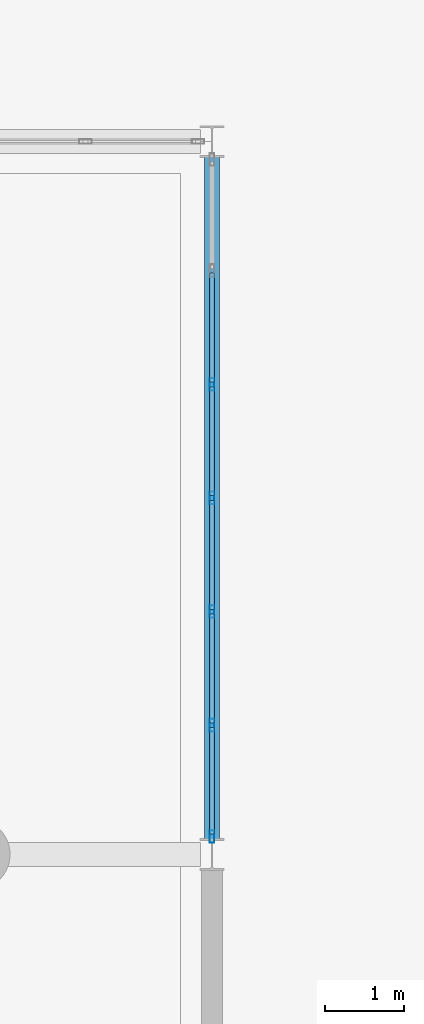
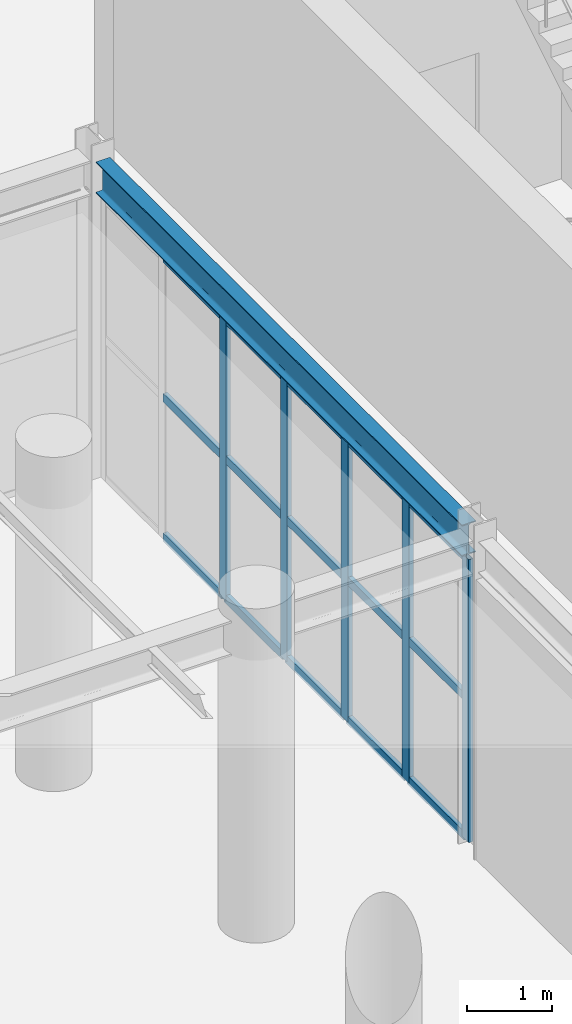
# One storey, part 14 of 29: 20 members, 1 beam, 1 element without a shape of its own.
"""IFC4 building model written with IfcOpenShell, lengths in metres."""

import ifcopenshell
import ifcopenshell.guid

model = None  # the IFC model being written
_history = None  # IfcOwnerHistory: only IFC2X3 demands one
_inside = {}  # id of a spatial element -> (the spatial element, [elements in it])
_under = {}  # id of a project, library or spatial element -> (it, [spatial elements below it])
_declared = {}  # id of a project -> (the project, [libraries it declares])
_typed = {}  # id of a type object -> (the type object, [elements of that type])
_made_of = {}  # id of a material, layer set ... -> (it, [elements and type objects made of it])


def new_model(schema):
    """Start an empty IFC model of exactly this schema.

    Asked for "IFC4X3", IfcOpenShell would pick the latest addendum, in which some entities
    have other attributes; the version numbers below select the first issue.
    IFC2X3 requires an IfcOwnerHistory on every rooted entity: one is made here for all.
    """
    global model, _history
    if schema == "IFC4X3":
        model = ifcopenshell.file(schema_version=(4, 3, 0, 0))
    else:
        model = ifcopenshell.file(schema=schema)
    _inside.clear()
    _under.clear()
    _declared.clear()
    _typed.clear()
    _made_of.clear()
    _history = None
    if model.schema == "IFC2X3":
        org = make("IfcOrganization", Name="unknown")
        user = make(
            "IfcPersonAndOrganization",
            ThePerson=make("IfcPerson", FamilyName="unknown"),
            TheOrganization=org,
        )
        app = make(
            "IfcApplication",
            ApplicationDeveloper=org,
            Version="unknown",
            ApplicationFullName="unknown",
            ApplicationIdentifier="unknown",
        )
        _history = make(
            "IfcOwnerHistory",
            OwningUser=user,
            OwningApplication=app,
            ChangeAction="ADDED",
            CreationDate=0,
        )
    return model


def make(cls, **values):
    """One entity of the class cls with the attributes given. An attribute that is None is left unset."""
    return model.create_entity(
        cls, **{name: value for name, value in values.items() if value is not None}
    )


def rooted(cls, **values):
    """An entity with a GlobalId (a new one), such as an element, a storey or a relation."""
    return make(cls, GlobalId=ifcopenshell.guid.new(), OwnerHistory=_history, **values)


def si_unit(unit_type, name, prefix=None):
    """IfcSIUnit, for example si_unit("LENGTHUNIT", "METRE", prefix="MILLI")."""
    return make("IfcSIUnit", UnitType=unit_type, Prefix=prefix, Name=name)


def assignment(units):
    """IfcUnitAssignment: the units of a project."""
    return None if units is None else make("IfcUnitAssignment", Units=units)


def point(xyz):
    """IfcCartesianPoint."""
    return None if xyz is None else make("IfcCartesianPoint", Coordinates=xyz)


def direction(xyz):
    """IfcDirection."""
    return None if xyz is None else make("IfcDirection", DirectionRatios=xyz)


def frame(location, z_axis=None, x_axis=None):
    """IfcAxis2Placement3D, a coordinate frame: its origin and axes. An axis left out is left unset."""
    return make(
        "IfcAxis2Placement3D",
        Location=point(location),
        Axis=direction(z_axis),
        RefDirection=direction(x_axis),
    )


def frame_2d(location, x_axis=None):
    """IfcAxis2Placement2D, a coordinate frame in the plane: its origin and x axis."""
    return make(
        "IfcAxis2Placement2D", Location=point(location), RefDirection=direction(x_axis)
    )


def origin():
    """The frame at (0, 0, 0) with its axes left unset."""
    return frame((0.0, 0.0, 0.0))


def origin_2d():
    """The frame at (0, 0) in the plane with its x axis left unset."""
    return frame_2d((0.0, 0.0))


def place(relative_to, where):
    """IfcLocalPlacement: puts the frame where relative to a parent placement (None: the world)."""
    return make(
        "IfcLocalPlacement", PlacementRelTo=relative_to, RelativePlacement=where
    )


def context(
    kind, dimensions, precision=None, world=None, true_north=None, identifier=None
):
    """IfcGeometricRepresentationContext, for example the 3D "Model" context."""
    return make(
        "IfcGeometricRepresentationContext",
        ContextIdentifier=identifier,
        ContextType=kind,
        CoordinateSpaceDimension=dimensions,
        Precision=precision,
        WorldCoordinateSystem=world,
        TrueNorth=true_north,
    )


def subcontext(parent, identifier, kind, view, scale=None):
    """IfcGeometricRepresentationSubContext, for example "Body" below "Model"."""
    return make(
        "IfcGeometricRepresentationSubContext",
        ContextIdentifier=identifier,
        ContextType=kind,
        ParentContext=parent,
        TargetScale=scale,
        TargetView=view,
    )


def project(units=None, contexts=None):
    """IfcProject with its units and contexts."""
    return rooted(
        "IfcProject",
        Name="project",
        RepresentationContexts=contexts,
        UnitsInContext=assignment(units),
    )


def spatial(cls, under=None, at=None, **own):
    """A site, building, storey or space (cls), placed at a placement, below another one or the project."""
    s = rooted(cls, ObjectPlacement=at, **own)
    if under is not None:
        _under.setdefault(under.id(), (under, []))[1].append(s)
    return s


def profile(cls, at=None, kind="AREA", **sizes):
    """A parametric profile (cls). Its sizes go by their IFC names, for example OverallWidth=200.0."""
    return make(cls, ProfileType=kind, Position=at, **sizes)


def hollow_rectangle(**sizes):
    """IfcRectangleHollowProfileDef."""
    return profile("IfcRectangleHollowProfileDef", **sizes)


def i_section(**sizes):
    """IfcIShapeProfileDef."""
    return profile("IfcIShapeProfileDef", **sizes)


def extrude(swept, where, along, depth):
    """IfcExtrudedAreaSolid: the profile swept, set in the frame where, extruded along a direction by depth."""
    return make(
        "IfcExtrudedAreaSolid",
        SweptArea=swept,
        Position=where,
        ExtrudedDirection=direction(along),
        Depth=depth,
    )


def shape(context_of_items, identifier, shape_type, items):
    """IfcShapeRepresentation: the items that make up one representation, for example the "Body"."""
    return make(
        "IfcShapeRepresentation",
        ContextOfItems=context_of_items,
        RepresentationIdentifier=identifier,
        RepresentationType=shape_type,
        Items=items,
    )


def material(Name=None, Category=None):
    """IfcMaterial."""
    return make("IfcMaterial", Name=Name, Category=Category)


def layer(
    of_material, thickness, ventilated=None, Name=None, Category=None, Priority=None
):
    """IfcMaterialLayer: one layer of a wall or slab, of a material (None: an air gap)."""
    return make(
        "IfcMaterialLayer",
        Material=of_material,
        LayerThickness=thickness,
        IsVentilated=ventilated,
        Name=Name,
        Category=Category,
        Priority=Priority,
    )


def layer_set(layers, Name=None):
    """IfcMaterialLayerSet."""
    return make("IfcMaterialLayerSet", MaterialLayers=layers, LayerSetName=Name)


def material_profile(
    of_material, cross_section, Name=None, Category=None, Priority=None
):
    """IfcMaterialProfile: a cross section and its material."""
    return make(
        "IfcMaterialProfile",
        Name=Name,
        Material=of_material,
        Profile=cross_section,
        Priority=Priority,
        Category=Category,
    )


def profile_set(profiles, Name=None, composite=None):
    """IfcMaterialProfileSet."""
    return make(
        "IfcMaterialProfileSet",
        Name=Name,
        MaterialProfiles=profiles,
        CompositeProfile=composite,
    )


def made_of(thing, what):
    """Note that an element or type object is made of a material, layer set ...; save() writes the relation."""
    if what is not None:
        _made_of.setdefault(what.id(), (what, []))[1].append(thing)
    return thing


def type_object(cls, material=None, **own):
    """A type object (cls), such as IfcWallType, which elements share."""
    return made_of(rooted(cls, **own), material)


def element(
    cls,
    number,
    at=None,
    inside=None,
    cuts=None,
    type_object=None,
    material=None,
    context=None,
    identifier="Body",
    shape_type=None,
    held_by="IfcProductDefinitionShape",
    body=None,
    shapes=None,
    **own,
):
    """One element of the class cls, such as IfcWall. Its Tag is "e" and its number.

    at: its placement. inside: the storey or other place that contains it. cuts: it is an
    opening in that element (IfcRelVoidsElement). A single representation is given by context,
    identifier, shape_type and body (its items); several are given by shapes. held_by: the class
    of the entity that holds the representations. save() writes the other relations.
    """
    e = rooted(cls, Tag="e%d" % number, ObjectPlacement=at, **own)
    if body is not None:
        shapes = [shape(context, identifier, shape_type, body)]
    if shapes is not None:
        e.Representation = make(held_by, Representations=shapes)
    if inside is not None:
        _inside.setdefault(inside.id(), (inside, []))[1].append(e)
    if cuts is not None:
        rooted(
            "IfcRelVoidsElement", RelatingBuildingElement=cuts, RelatedOpeningElement=e
        )
    if type_object is not None:
        _typed.setdefault(type_object.id(), (type_object, []))[1].append(e)
    return made_of(e, material)


def aggregate(whole, parts):
    """IfcRelAggregates: a whole, such as a stair, and the parts it consists of."""
    return rooted("IfcRelAggregates", RelatingObject=whole, RelatedObjects=parts)


def save(model, path):
    """Write the relations noted so far, then the file.

    IfcRelAggregates (storeys below a building ...), IfcRelContainedInSpatialStructure (elements
    in a storey), IfcRelDefinesByType, IfcRelAssociatesMaterial and IfcRelDeclares: one each for
    every whole, place, type object, material and project.
    """
    for whole, parts in _under.values():
        aggregate(whole, parts)
    for where, things in _inside.values():
        rooted(
            "IfcRelContainedInSpatialStructure",
            RelatedElements=things,
            RelatingStructure=where,
        )
    for kind, things in _typed.values():
        rooted("IfcRelDefinesByType", RelatedObjects=things, RelatingType=kind)
    for what, things in _made_of.values():
        rooted("IfcRelAssociatesMaterial", RelatedObjects=things, RelatingMaterial=what)
    for by, libraries in _declared.values():
        rooted("IfcRelDeclares", RelatingContext=by, RelatedDefinitions=libraries)
    model.write(path)


model = new_model("IFC4")

# Units and contexts
model_context = context("Model", 3, precision=1e-05, world=origin(), true_north=direction((0.0, 1.0)))
body_context = subcontext(model_context, "Body", "Model", "MODEL_VIEW")
ifc_project = project(units=[si_unit("LENGTHUNIT", "METRE"), si_unit("AREAUNIT", "SQUARE_METRE"), si_unit("VOLUMEUNIT", "CUBIC_METRE"), si_unit("PLANEANGLEUNIT", "RADIAN"), si_unit("MASSUNIT", "GRAM", prefix="KILO")], contexts=[model_context])

# Site, building, storey
site_placement = place(None, origin())
site = spatial("IfcSite", under=ifc_project, at=site_placement, CompositionType="ELEMENT")
building_placement = place(site_placement, origin())
building = spatial("IfcBuilding", under=site, at=building_placement, Name="Dornveld Trade and Exhibition Forum", CompositionType="ELEMENT")
storey_placement = place(building_placement, frame((0.0, 0.0, 21.60009765625)))
storey = spatial("IfcBuildingStorey", under=building, at=storey_placement, Name="L04", CompositionType="ELEMENT", Elevation=21.60009765625)

# Beam
ifc_material_1 = material(Name="Steel S355J2", Category="steel")
ifc_material_profile_1 = material_profile(ifc_material_1, i_section(OverallWidth=0.18994140625, OverallDepth=0.449951171875, WebThickness=0.009521484375, FlangeThickness=0.0146484375, FilletRadius=0.02099609375, at=origin_2d()), Name="IPE 450")
ifc_profile_set_1 = profile_set([ifc_material_profile_1], Name="Steel S355J2")
beam_type = type_object("IfcBeamType", Name="BM-SEC-450", PredefinedType="BEAM", material=ifc_profile_set_1)
beam_placement = place(storey_placement, frame((135.0, 81.196044921875, 4.324951171875), z_axis=(0.0, 1.0, 0.0), x_axis=(-1.0, 0.0, 0.0)))
element("IfcBeam", 1, at=beam_placement, inside=storey, type_object=beam_type, Name="L04 Y-girder 1697", PredefinedType="BEAM", context=body_context, shape_type="SweptSolid", body=[
    extrude(i_section(OverallWidth=0.18994140625, OverallDepth=0.449951171875, WebThickness=0.009521484375, FlangeThickness=0.0146484375, FilletRadius=0.02099609375, at=origin_2d()), origin(), (0.0, 0.0, 1.0), 8.60791015625),
])

# Curtain wall, members
ifc_material_2 = material(Name="Dark-bronze anodised aluminium and low-E glass", Category="aluminium")
ifc_layer = layer(ifc_material_2, 0.156982421875)
ifc_layer_set = layer_set([ifc_layer], Name="Dark-bronze anodised aluminium and low-E glass")
curtain_wall_type = type_object("IfcCurtainWallType", Name="CW-SYS-05", PredefinedType="USERDEFINED", material=ifc_layer_set)
curtain_wall_placement = place(storey_placement, origin())
curtain_wall = element("IfcCurtainWall", 2, at=curtain_wall_placement, inside=storey, type_object=curtain_wall_type, Name="L04 unitised curtain wall 131", ObjectType="UNITISED_CURTAIN_WALL", PredefinedType="USERDEFINED")
ifc_material_3 = material(Name="Dark-bronze anodised aluminium", Category="aluminium")
ifc_material_profile_2 = material_profile(ifc_material_3, hollow_rectangle(XDim=0.06005859375, YDim=0.159912109375, WallThickness=0.00390625, at=origin_2d()), Name="RHS 160x60x4")
ifc_profile_set_2 = profile_set([ifc_material_profile_2], Name="Dark-bronze anodised aluminium")
member_type_1 = type_object("IfcMemberType", Name="CW-MUL-160", PredefinedType="MULLION", material=ifc_profile_set_2)
member_1_placement = place(storey_placement, frame((135.0, 81.22607421875, -0.004150390625), z_axis=(0.0, 0.0, 1.0), x_axis=(-1.0, 0.0, 0.0)))
member_1 = element("IfcMember", 3, at=member_1_placement, type_object=member_type_1, Name="CW-05 mullion 1", PredefinedType="MULLION", context=body_context, shape_type="SweptSolid", body=[
    extrude(hollow_rectangle(XDim=0.06005859375, YDim=0.159912109375, WallThickness=0.00390625, at=origin_2d()), origin(), (0.0, 0.0, 1.0), 4.06396484375),
])
member_2_placement = place(storey_placement, frame((135.0, 82.630615234375, -0.004150390625), z_axis=(0.0, 0.0, 1.0), x_axis=(-1.0, 0.0, 0.0)))
member_2 = element("IfcMember", 4, at=member_2_placement, type_object=member_type_1, Name="CW-05 mullion 2", PredefinedType="MULLION", context=body_context, shape_type="SweptSolid", body=[
    extrude(hollow_rectangle(XDim=0.06005859375, YDim=0.159912109375, WallThickness=0.00390625, at=origin_2d()), origin(), (0.0, 0.0, 1.0), 4.06396484375),
])
member_3_placement = place(storey_placement, frame((135.0, 84.0654296875, -0.004150390625), z_axis=(0.0, 0.0, 1.0), x_axis=(-1.0, 0.0, 0.0)))
member_3 = element("IfcMember", 5, at=member_3_placement, type_object=member_type_1, Name="CW-05 mullion 3", PredefinedType="MULLION", context=body_context, shape_type="SweptSolid", body=[
    extrude(hollow_rectangle(XDim=0.06005859375, YDim=0.159912109375, WallThickness=0.00390625, at=origin_2d()), origin(), (0.0, 0.0, 1.0), 4.06396484375),
])
member_4_placement = place(storey_placement, frame((135.0, 85.5, -0.004150390625), z_axis=(0.0, 0.0, 1.0), x_axis=(-1.0, 0.0, 0.0)))
member_4 = element("IfcMember", 6, at=member_4_placement, type_object=member_type_1, Name="CW-05 mullion 4", PredefinedType="MULLION", context=body_context, shape_type="SweptSolid", body=[
    extrude(hollow_rectangle(XDim=0.06005859375, YDim=0.159912109375, WallThickness=0.00390625, at=origin_2d()), origin(), (0.0, 0.0, 1.0), 4.06396484375),
])
member_5_placement = place(storey_placement, frame((135.0, 86.9345703125, -0.004150390625), z_axis=(0.0, 0.0, 1.0), x_axis=(-1.0, 0.0, 0.0)))
member_5 = element("IfcMember", 7, at=member_5_placement, type_object=member_type_1, Name="CW-05 mullion 5", PredefinedType="MULLION", context=body_context, shape_type="SweptSolid", body=[
    extrude(hollow_rectangle(XDim=0.06005859375, YDim=0.159912109375, WallThickness=0.00390625, at=origin_2d()), origin(), (0.0, 0.0, 1.0), 4.06396484375),
])
ifc_material_4 = material(Name="Dark-bronze anodised aluminium", Category="aluminium")
ifc_material_profile_3 = material_profile(ifc_material_4, hollow_rectangle(XDim=0.06005859375, YDim=0.1201171875, WallThickness=0.00390625, at=origin_2d()), Name="RHS 120x60x4")
ifc_profile_set_3 = profile_set([ifc_material_profile_3], Name="Dark-bronze anodised aluminium")
member_type_2 = type_object("IfcMemberType", Name="CW-TRN-120", PredefinedType="USERDEFINED", material=ifc_profile_set_3)
member_6_placement = place(storey_placement, frame((135.0, 81.256103515625, 0.02587890625), z_axis=(0.0, 1.0, 0.0), x_axis=(-1.0, 0.0, 0.0)))
member_6 = element("IfcMember", 8, at=member_6_placement, type_object=member_type_2, Name="CW-05 transom 1.1", ObjectType="TRANSOM", PredefinedType="USERDEFINED", context=body_context, shape_type="SweptSolid", body=[
    extrude(hollow_rectangle(XDim=0.06005859375, YDim=0.1201171875, WallThickness=0.00390625, at=origin_2d()), origin(), (0.0, 0.0, 1.0), 1.344482421875),
])
member_7_placement = place(storey_placement, frame((135.0, 81.256103515625, 2.02783203125), z_axis=(0.0, 1.0, 0.0), x_axis=(-1.0, 0.0, 0.0)))
member_7 = element("IfcMember", 9, at=member_7_placement, type_object=member_type_2, Name="CW-05 transom 1.2", ObjectType="TRANSOM", PredefinedType="USERDEFINED", context=body_context, shape_type="SweptSolid", body=[
    extrude(hollow_rectangle(XDim=0.06005859375, YDim=0.1201171875, WallThickness=0.00390625, at=origin_2d()), origin(), (0.0, 0.0, 1.0), 1.344482421875),
])
member_8_placement = place(storey_placement, frame((135.0, 81.256103515625, 4.02978515625), z_axis=(0.0, 1.0, 0.0), x_axis=(-1.0, 0.0, 0.0)))
member_8 = element("IfcMember", 10, at=member_8_placement, type_object=member_type_2, Name="CW-05 transom 1.3", ObjectType="TRANSOM", PredefinedType="USERDEFINED", context=body_context, shape_type="SweptSolid", body=[
    extrude(hollow_rectangle(XDim=0.06005859375, YDim=0.1201171875, WallThickness=0.00390625, at=origin_2d()), origin(), (0.0, 0.0, 1.0), 1.344482421875),
])
member_9_placement = place(storey_placement, frame((135.0, 82.66064453125, 0.02587890625), z_axis=(0.0, 1.0, 0.0), x_axis=(-1.0, 0.0, 0.0)))
member_9 = element("IfcMember", 11, at=member_9_placement, type_object=member_type_2, Name="CW-05 transom 2.1", ObjectType="TRANSOM", PredefinedType="USERDEFINED", context=body_context, shape_type="SweptSolid", body=[
    extrude(hollow_rectangle(XDim=0.06005859375, YDim=0.1201171875, WallThickness=0.00390625, at=origin_2d()), origin(), (0.0, 0.0, 1.0), 1.374755859375),
])
member_10_placement = place(storey_placement, frame((135.0, 82.66064453125, 2.02783203125), z_axis=(0.0, 1.0, 0.0), x_axis=(-1.0, 0.0, 0.0)))
member_10 = element("IfcMember", 12, at=member_10_placement, type_object=member_type_2, Name="CW-05 transom 2.2", ObjectType="TRANSOM", PredefinedType="USERDEFINED", context=body_context, shape_type="SweptSolid", body=[
    extrude(hollow_rectangle(XDim=0.06005859375, YDim=0.1201171875, WallThickness=0.00390625, at=origin_2d()), origin(), (0.0, 0.0, 1.0), 1.374755859375),
])
member_11_placement = place(storey_placement, frame((135.0, 82.66064453125, 4.02978515625), z_axis=(0.0, 1.0, 0.0), x_axis=(-1.0, 0.0, 0.0)))
member_11 = element("IfcMember", 13, at=member_11_placement, type_object=member_type_2, Name="CW-05 transom 2.3", ObjectType="TRANSOM", PredefinedType="USERDEFINED", context=body_context, shape_type="SweptSolid", body=[
    extrude(hollow_rectangle(XDim=0.06005859375, YDim=0.1201171875, WallThickness=0.00390625, at=origin_2d()), origin(), (0.0, 0.0, 1.0), 1.374755859375),
])
member_12_placement = place(storey_placement, frame((135.0, 84.09521484375, 0.02587890625), z_axis=(0.0, 1.0, 0.0), x_axis=(-1.0, 0.0, 0.0)))
member_12 = element("IfcMember", 14, at=member_12_placement, type_object=member_type_2, Name="CW-05 transom 3.1", ObjectType="TRANSOM", PredefinedType="USERDEFINED", context=body_context, shape_type="SweptSolid", body=[
    extrude(hollow_rectangle(XDim=0.06005859375, YDim=0.1201171875, WallThickness=0.00390625, at=origin_2d()), origin(), (0.0, 0.0, 1.0), 1.374755859375),
])
member_13_placement = place(storey_placement, frame((135.0, 84.09521484375, 2.02783203125), z_axis=(0.0, 1.0, 0.0), x_axis=(-1.0, 0.0, 0.0)))
member_13 = element("IfcMember", 15, at=member_13_placement, type_object=member_type_2, Name="CW-05 transom 3.2", ObjectType="TRANSOM", PredefinedType="USERDEFINED", context=body_context, shape_type="SweptSolid", body=[
    extrude(hollow_rectangle(XDim=0.06005859375, YDim=0.1201171875, WallThickness=0.00390625, at=origin_2d()), origin(), (0.0, 0.0, 1.0), 1.374755859375),
])
member_14_placement = place(storey_placement, frame((135.0, 84.09521484375, 4.02978515625), z_axis=(0.0, 1.0, 0.0), x_axis=(-1.0, 0.0, 0.0)))
member_14 = element("IfcMember", 16, at=member_14_placement, type_object=member_type_2, Name="CW-05 transom 3.3", ObjectType="TRANSOM", PredefinedType="USERDEFINED", context=body_context, shape_type="SweptSolid", body=[
    extrude(hollow_rectangle(XDim=0.06005859375, YDim=0.1201171875, WallThickness=0.00390625, at=origin_2d()), origin(), (0.0, 0.0, 1.0), 1.374755859375),
])
member_15_placement = place(storey_placement, frame((135.0, 85.530029296875, 0.02587890625), z_axis=(0.0, 1.0, 0.0), x_axis=(-1.0, 0.0, 0.0)))
member_15 = element("IfcMember", 17, at=member_15_placement, type_object=member_type_2, Name="CW-05 transom 4.1", ObjectType="TRANSOM", PredefinedType="USERDEFINED", context=body_context, shape_type="SweptSolid", body=[
    extrude(hollow_rectangle(XDim=0.06005859375, YDim=0.1201171875, WallThickness=0.00390625, at=origin_2d()), origin(), (0.0, 0.0, 1.0), 1.374755859375),
])
member_16_placement = place(storey_placement, frame((135.0, 85.530029296875, 2.02783203125), z_axis=(0.0, 1.0, 0.0), x_axis=(-1.0, 0.0, 0.0)))
member_16 = element("IfcMember", 18, at=member_16_placement, type_object=member_type_2, Name="CW-05 transom 4.2", ObjectType="TRANSOM", PredefinedType="USERDEFINED", context=body_context, shape_type="SweptSolid", body=[
    extrude(hollow_rectangle(XDim=0.06005859375, YDim=0.1201171875, WallThickness=0.00390625, at=origin_2d()), origin(), (0.0, 0.0, 1.0), 1.374755859375),
])
member_17_placement = place(storey_placement, frame((135.0, 85.530029296875, 4.02978515625), z_axis=(0.0, 1.0, 0.0), x_axis=(-1.0, 0.0, 0.0)))
member_17 = element("IfcMember", 19, at=member_17_placement, type_object=member_type_2, Name="CW-05 transom 4.3", ObjectType="TRANSOM", PredefinedType="USERDEFINED", context=body_context, shape_type="SweptSolid", body=[
    extrude(hollow_rectangle(XDim=0.06005859375, YDim=0.1201171875, WallThickness=0.00390625, at=origin_2d()), origin(), (0.0, 0.0, 1.0), 1.374755859375),
])
member_18_placement = place(storey_placement, frame((135.0, 86.964599609375, 0.02587890625), z_axis=(0.0, 1.0, 0.0), x_axis=(-1.0, 0.0, 0.0)))
member_18 = element("IfcMember", 20, at=member_18_placement, type_object=member_type_2, Name="CW-05 transom 5.1", ObjectType="TRANSOM", PredefinedType="USERDEFINED", context=body_context, shape_type="SweptSolid", body=[
    extrude(hollow_rectangle(XDim=0.06005859375, YDim=0.1201171875, WallThickness=0.00390625, at=origin_2d()), origin(), (0.0, 0.0, 1.0), 1.374755859375),
])
member_19_placement = place(storey_placement, frame((135.0, 86.964599609375, 2.02783203125), z_axis=(0.0, 1.0, 0.0), x_axis=(-1.0, 0.0, 0.0)))
member_19 = element("IfcMember", 21, at=member_19_placement, type_object=member_type_2, Name="CW-05 transom 5.2", ObjectType="TRANSOM", PredefinedType="USERDEFINED", context=body_context, shape_type="SweptSolid", body=[
    extrude(hollow_rectangle(XDim=0.06005859375, YDim=0.1201171875, WallThickness=0.00390625, at=origin_2d()), origin(), (0.0, 0.0, 1.0), 1.374755859375),
])
member_20_placement = place(storey_placement, frame((135.0, 86.964599609375, 4.02978515625), z_axis=(0.0, 1.0, 0.0), x_axis=(-1.0, 0.0, 0.0)))
member_20 = element("IfcMember", 22, at=member_20_placement, type_object=member_type_2, Name="CW-05 transom 5.3", ObjectType="TRANSOM", PredefinedType="USERDEFINED", context=body_context, shape_type="SweptSolid", body=[
    extrude(hollow_rectangle(XDim=0.06005859375, YDim=0.1201171875, WallThickness=0.00390625, at=origin_2d()), origin(), (0.0, 0.0, 1.0), 1.374755859375),
])
aggregate(curtain_wall, [member_1, member_2, member_3, member_4, member_5, member_6, member_7, member_8, member_9, member_10, member_11, member_12, member_13, member_14, member_15, member_16, member_17, member_18, member_19, member_20])

save(model, "model.ifc")
